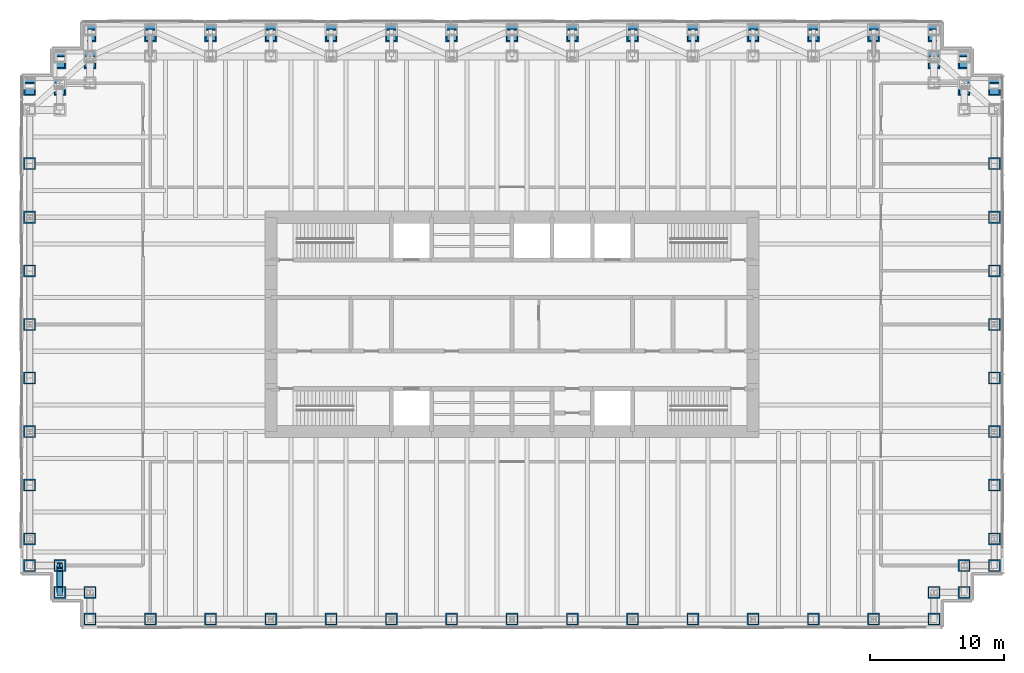
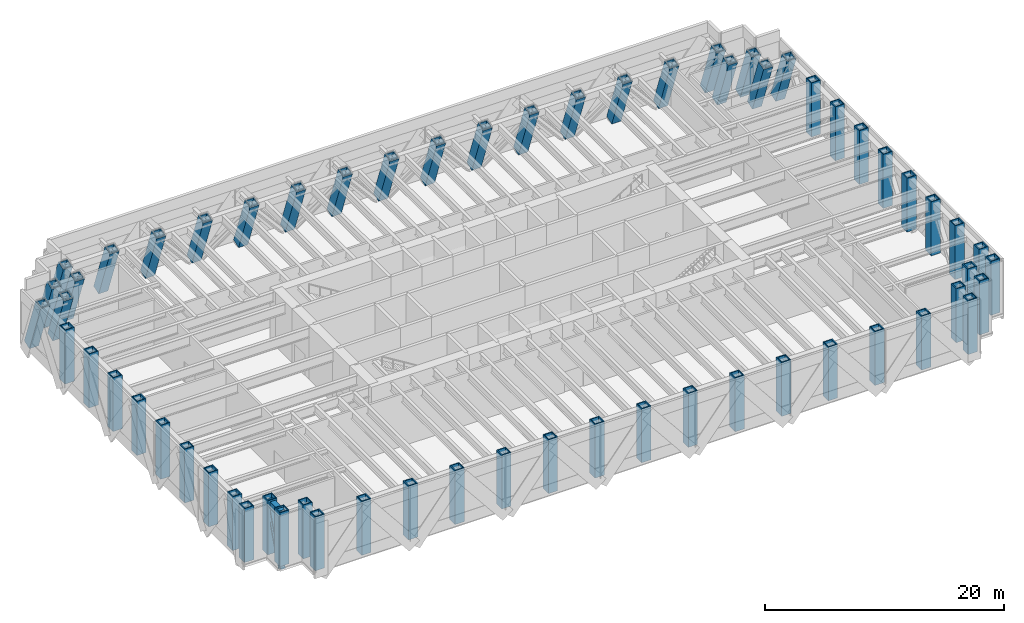
# One storey, part 1 of 16: 62 columns, 1 beam, 1 member.
"""IFC4 building model written with IfcOpenShell, lengths in metres."""

from ifc_helpers import new_model, si_unit, direction, frame, origin, origin_2d, place, context, subcontext, project, spatial, hollow_rectangle, i_section, extrude, material, material_profile, profile_set, type_object, element, save


model = new_model("IFC4")

# Units and contexts
model_context = context("Model", 3, precision=1e-05, world=origin(), true_north=direction((0.0, 1.0)))
body_context = subcontext(model_context, "Body", "Model", "MODEL_VIEW")
ifc_project = project(units=[si_unit("LENGTHUNIT", "METRE"), si_unit("AREAUNIT", "SQUARE_METRE"), si_unit("VOLUMEUNIT", "CUBIC_METRE"), si_unit("PLANEANGLEUNIT", "RADIAN"), si_unit("MASSUNIT", "GRAM", prefix="KILO")], contexts=[model_context])

# Site, building, storey
site_placement = place(None, origin())
site = spatial("IfcSite", under=ifc_project, at=site_placement, CompositionType="ELEMENT")
building_placement = place(site_placement, origin())
building = spatial("IfcBuilding", under=site, at=building_placement, Name="Rheinbord Bourse Tower", CompositionType="ELEMENT")
storey_placement = place(building_placement, frame((0.0, 0.0, 180.300048828125)))
storey = spatial("IfcBuildingStorey", under=building, at=storey_placement, Name="L40", CompositionType="ELEMENT", Elevation=180.300048828125)

# Columns
ifc_material_1 = material(Name="Steel S460M", Category="steel")
ifc_material_profile_1 = material_profile(ifc_material_1, hollow_rectangle(XDim=0.89990234375, YDim=0.89990234375, WallThickness=0.090087890625, at=origin_2d()), Name="BOX 900x900x90")
ifc_profile_set_1 = profile_set([ifc_material_profile_1], Name="Steel S460M")
column_type_1 = type_object("IfcColumnType", Name="RAKING COLUMN BOX 900x900x90", PredefinedType="USERDEFINED", material=ifc_profile_set_1)
for number, where, z_axis, x_axis, name in (
    (1, (72.0, 41.943603515625, 0.155029296875), (0.0, -0.341743063087, 0.939793423488), (1.0, 0.0, 0.0), "Column NE-A L40"),
    (2, (69.75, 41.943603515625, 0.155029296875), (0.0, -0.341743063087, 0.939793423488), (1.0, 0.0, 0.0), "Column NE-B L40"),
    (3, (69.75, 43.943603515625, 0.155029296875), (0.0, -0.341743063087, 0.939793423488), (1.0, 0.0, 0.0), "Column NE-C L40"),
    (4, (67.5, 43.943603515625, 0.155029296875), (0.0, -0.341743063087, 0.939793423488), (0.0, 0.939793423488, 0.341743063087), "Column NE-D L40"),
    (5, (67.5, 45.943603515625, 0.155029296875), (0.0, -0.341743063087, 0.939793423488), (0.0, 0.939793423488, 0.341743063087), "Column NE-E L40"),
    (6, (63.0, 45.943603515625, 0.155029296875), (0.0, -0.341743063087, 0.939793423488), (0.0, 0.939793423488, 0.341743063087), "Column N-63 L40"),
    (7, (58.5, 45.943603515625, 0.155029296875), (0.0, -0.341743063087, 0.939793423488), (0.0, 0.939793423488, 0.341743063087), "Column N-58.5 L40"),
    (8, (54.0, 45.943603515625, 0.155029296875), (0.0, -0.341743063087, 0.939793423488), (0.0, 0.939793423488, 0.341743063087), "Column N-54 L40"),
    (9, (49.5, 45.943603515625, 0.155029296875), (0.0, -0.341743063087, 0.939793423488), (0.0, 0.939793423488, 0.341743063087), "Column N-49.5 L40"),
    (10, (45.0, 45.943603515625, 0.155029296875), (0.0, -0.341743063087, 0.939793423488), (0.0, 0.939793423488, 0.341743063087), "Column N-45 L40"),
    (11, (40.5, 45.943603515625, 0.155029296875), (0.0, -0.341743063087, 0.939793423488), (0.0, 0.939793423488, 0.341743063087), "Column N-40.5 L40"),
    (12, (36.0, 45.943603515625, 0.155029296875), (0.0, -0.341743063087, 0.939793423488), (0.0, 0.939793423488, 0.341743063087), "Column N-36 L40"),
    (13, (31.5, 45.943603515625, 0.155029296875), (0.0, -0.341743063087, 0.939793423488), (0.0, 0.939793423488, 0.341743063087), "Column N-31.5 L40"),
    (14, (27.0, 45.943603515625, 0.155029296875), (0.0, -0.341743063087, 0.939793423488), (0.0, 0.939793423488, 0.341743063087), "Column N-27 L40"),
    (15, (22.5, 45.943603515625, 0.155029296875), (0.0, -0.341743063087, 0.939793423488), (0.0, 0.939793423488, 0.341743063087), "Column N-22.5 L40"),
    (16, (18.0, 45.943603515625, 0.155029296875), (0.0, -0.341743063087, 0.939793423488), (0.0, 0.939793423488, 0.341743063087), "Column N-18 L40"),
    (17, (13.5, 45.943603515625, 0.155029296875), (0.0, -0.341743063087, 0.939793423488), (0.0, 0.939793423488, 0.341743063087), "Column N-13.5 L40"),
    (18, (9.0, 45.943603515625, 0.155029296875), (0.0, -0.341743063087, 0.939793423488), (0.0, 0.939793423488, 0.341743063087), "Column N-9 L40"),
    (19, (4.5, 45.943603515625, 0.155029296875), (0.0, -0.341743063087, 0.939793423488), (0.0, 0.939793423488, 0.341743063087), "Column NW-E L40"),
    (20, (4.5, 43.943603515625, 0.155029296875), (0.0, -0.341743063087, 0.939793423488), (0.0, 0.939793423488, 0.341743063087), "Column NW-D L40"),
    (21, (2.25, 43.943603515625, 0.155029296875), (0.0, -0.341743063087, 0.939793423488), (1.0, 0.0, 0.0), "Column NW-C L40"),
    (22, (2.25, 41.943603515625, 0.155029296875), (0.0, -0.341743063087, 0.939793423488), (1.0, 0.0, 0.0), "Column NW-B L40"),
    (23, (0.0, 41.943603515625, 0.155029296875), (0.0, -0.341743063087, 0.939793423488), (1.0, 0.0, 0.0), "Column NW-A L40"),
):
    element("IfcColumn", number, at=place(storey_placement, frame(where, z_axis=z_axis, x_axis=x_axis)), inside=storey, type_object=column_type_1, Name=name, ObjectType="RAKING COLUMN", PredefinedType="USERDEFINED", context=body_context, shape_type="SweptSolid", body=[
        extrude(hollow_rectangle(XDim=0.89990234375, YDim=0.89990234375, WallThickness=0.090087890625, at=origin_2d()), origin(), (0.0, 0.0, 1.0), 5.5224609375),
    ])
ifc_material_2 = material(Name="Steel S460M", Category="steel")
ifc_material_profile_2 = material_profile(ifc_material_2, hollow_rectangle(XDim=0.89990234375, YDim=0.89990234375, WallThickness=0.090087890625, at=origin_2d()), Name="BOX 900x900x90")
ifc_profile_set_2 = profile_set([ifc_material_profile_2], Name="Steel S460M")
column_type_2 = type_object("IfcColumnType", Name="TUBE COLUMN BOX 900x900x90", PredefinedType="COLUMN", material=ifc_profile_set_2)
for number, where, z_axis, x_axis, name in (
    (24, (4.5, 2.0, 0.0), (0.0, 0.0, 1.0), (0.0, 1.0, 0.0), "Column SW-E L40"),
    (25, (9.0, 2.0, 0.0), (0.0, 0.0, 1.0), (0.0, 1.0, 0.0), "Column S-9 L40"),
    (26, (13.5, 2.0, 0.0), (0.0, 0.0, 1.0), (0.0, 1.0, 0.0), "Column S-13.5 L40"),
    (27, (18.0, 2.0, 0.0), (0.0, 0.0, 1.0), (0.0, 1.0, 0.0), "Column S-18 L40"),
    (28, (22.5, 2.0, 0.0), (0.0, 0.0, 1.0), (0.0, 1.0, 0.0), "Column S-22.5 L40"),
    (29, (27.0, 2.0, 0.0), (0.0, 0.0, 1.0), (0.0, 1.0, 0.0), "Column S-27 L40"),
    (30, (31.5, 2.0, 0.0), (0.0, 0.0, 1.0), (0.0, 1.0, 0.0), "Column S-31.5 L40"),
    (31, (36.0, 2.0, 0.0), (0.0, 0.0, 1.0), (0.0, 1.0, 0.0), "Column S-36 L40"),
    (32, (40.5, 2.0, 0.0), (0.0, 0.0, 1.0), (0.0, 1.0, 0.0), "Column S-40.5 L40"),
    (33, (45.0, 2.0, 0.0), (0.0, 0.0, 1.0), (0.0, 1.0, 0.0), "Column S-45 L40"),
    (34, (49.5, 2.0, 0.0), (0.0, 0.0, 1.0), (0.0, 1.0, 0.0), "Column S-49.5 L40"),
    (35, (54.0, 2.0, 0.0), (0.0, 0.0, 1.0), (0.0, 1.0, 0.0), "Column S-54 L40"),
    (36, (58.5, 2.0, 0.0), (0.0, 0.0, 1.0), (0.0, 1.0, 0.0), "Column S-58.5 L40"),
    (37, (63.0, 2.0, 0.0), (0.0, 0.0, 1.0), (0.0, 1.0, 0.0), "Column S-63 L40"),
    (38, (67.5, 2.0, 0.0), (0.0, 0.0, 1.0), (0.0, 1.0, 0.0), "Column SE-E L40"),
    (39, (67.5, 4.0, 0.0), (0.0, 0.0, 1.0), (0.0, 1.0, 0.0), "Column SE-D L40"),
    (40, (69.75, 4.0, 0.0), (0.0, 0.0, 1.0), (1.0, 0.0, 0.0), "Column SE-C L40"),
    (41, (69.75, 6.0, 0.0), (0.0, 0.0, 1.0), (1.0, 0.0, 0.0), "Column SE-B L40"),
    (42, (72.0, 6.0, 0.0), (0.0, 0.0, 1.0), (1.0, 0.0, 0.0), "Column SE-A L40"),
    (43, (72.0, 8.0, 0.0), (0.0, 0.0, 1.0), (1.0, 0.0, 0.0), "Column E-8 L40"),
    (44, (72.0, 12.0, 0.0), (0.0, 0.0, 1.0), (1.0, 0.0, 0.0), "Column E-12 L40"),
    (45, (72.0, 16.0, 0.0), (0.0, 0.0, 1.0), (1.0, 0.0, 0.0), "Column E-16 L40"),
    (46, (72.0, 20.0, 0.0), (0.0, 0.0, 1.0), (1.0, 0.0, 0.0), "Column E-20 L40"),
    (47, (72.0, 24.0, 0.0), (0.0, 0.0, 1.0), (1.0, 0.0, 0.0), "Column E-24 L40"),
    (48, (72.0, 28.0, 0.0), (0.0, 0.0, 1.0), (1.0, 0.0, 0.0), "Column E-28 L40"),
    (49, (72.0, 32.0, 0.0), (0.0, 0.0, 1.0), (1.0, 0.0, 0.0), "Column E-32 L40"),
    (50, (72.0, 36.0, 0.0), (0.0, 0.0, 1.0), (1.0, 0.0, 0.0), "Column E-36 L40"),
    (51, (0.0, 36.0, 0.0), (0.0, 0.0, 1.0), (1.0, 0.0, 0.0), "Column W-36 L40"),
    (52, (0.0, 32.0, 0.0), (0.0, 0.0, 1.0), (1.0, 0.0, 0.0), "Column W-32 L40"),
    (53, (0.0, 28.0, 0.0), (0.0, 0.0, 1.0), (1.0, 0.0, 0.0), "Column W-28 L40"),
    (54, (0.0, 24.0, 0.0), (0.0, 0.0, 1.0), (1.0, 0.0, 0.0), "Column W-24 L40"),
    (55, (0.0, 20.0, 0.0), (0.0, 0.0, 1.0), (1.0, 0.0, 0.0), "Column W-20 L40"),
    (56, (0.0, 16.0, 0.0), (0.0, 0.0, 1.0), (1.0, 0.0, 0.0), "Column W-16 L40"),
    (57, (0.0, 12.0, 0.0), (0.0, 0.0, 1.0), (1.0, 0.0, 0.0), "Column W-12 L40"),
    (58, (0.0, 8.0, 0.0), (0.0, 0.0, 1.0), (1.0, 0.0, 0.0), "Column W-8 L40"),
    (59, (0.0, 6.0, 0.0), (0.0, 0.0, 1.0), (1.0, 0.0, 0.0), "Column SW-A L40"),
    (60, (2.25, 6.0, 0.0), (0.0, 0.0, 1.0), (1.0, 0.0, 0.0), "Column SW-B L40"),
    (61, (2.25, 4.0, 0.0), (0.0, 0.0, 1.0), (1.0, 0.0, 0.0), "Column SW-C L40"),
    (62, (4.5, 4.0, 0.0), (0.0, 0.0, 1.0), (0.0, 1.0, 0.0), "Column SW-D L40"),
):
    element("IfcColumn", number, at=place(storey_placement, frame(where, z_axis=z_axis, x_axis=x_axis)), inside=storey, type_object=column_type_2, Name=name, PredefinedType="COLUMN", context=body_context, shape_type="SweptSolid", body=[
        extrude(hollow_rectangle(XDim=0.89990234375, YDim=0.89990234375, WallThickness=0.090087890625, at=origin_2d()), origin(), (0.0, 0.0, 1.0), 5.5),
    ])

# Beam
ifc_material_3 = material(Name="Steel S460M", Category="steel")
ifc_material_profile_3 = material_profile(ifc_material_3, hollow_rectangle(XDim=0.5, YDim=0.699951171875, WallThickness=0.0400390625, at=origin_2d()), Name="BOX 700x500x40")
ifc_profile_set_3 = profile_set([ifc_material_profile_3], Name="Steel S460M")
beam_type = type_object("IfcBeamType", Name="BELT CHORD BOX 700x500x40", PredefinedType="SPANDREL", material=ifc_profile_set_3)
beam_placement = place(storey_placement, frame((2.25, 6.0, 4.989990234375), z_axis=(0.0, -1.0, 0.0), x_axis=(1.0, 0.0, 0.0)))
element("IfcBeam", 63, at=beam_placement, inside=storey, type_object=beam_type, Name="Spandrel SW-B-SW-C under L41", PredefinedType="SPANDREL", context=body_context, shape_type="SweptSolid", body=[
    extrude(hollow_rectangle(XDim=0.5, YDim=0.699951171875, WallThickness=0.0400390625, at=origin_2d()), origin(), (0.0, 0.0, 1.0), 2.0),
])

# Member
ifc_material_4 = material(Name="Steel S460", Category="steel")
ifc_material_profile_4 = material_profile(ifc_material_4, i_section(OverallWidth=0.431884765625, OverallDepth=0.498046875, WebThickness=0.0556640625, FlangeThickness=0.0888671875, at=origin_2d()), Name="HD 400x744")
ifc_profile_set_4 = profile_set([ifc_material_profile_4], Name="Steel S460")
member_type = type_object("IfcMemberType", Name="BELT DIAGONAL HD 400x744", PredefinedType="STRUT", material=ifc_profile_set_4)
member_placement = place(storey_placement, frame((2.25, 4.0, -0.60009765625), z_axis=(0.0, 0.336865151883, 0.941552903159), x_axis=(-1.0, 0.0, 0.0)))
element("IfcMember", 64, at=member_placement, inside=storey, type_object=member_type, Name="Belt truss diagonal SW-B-SW-C L40", PredefinedType="STRUT", context=body_context, shape_type="SweptSolid", body=[
    extrude(i_section(OverallWidth=0.431884765625, OverallDepth=0.498046875, WebThickness=0.0556640625, FlangeThickness=0.0888671875, at=origin_2d()), origin(), (0.0, 0.0, 1.0), 5.93701171875),
])

save(model, "model.ifc")
